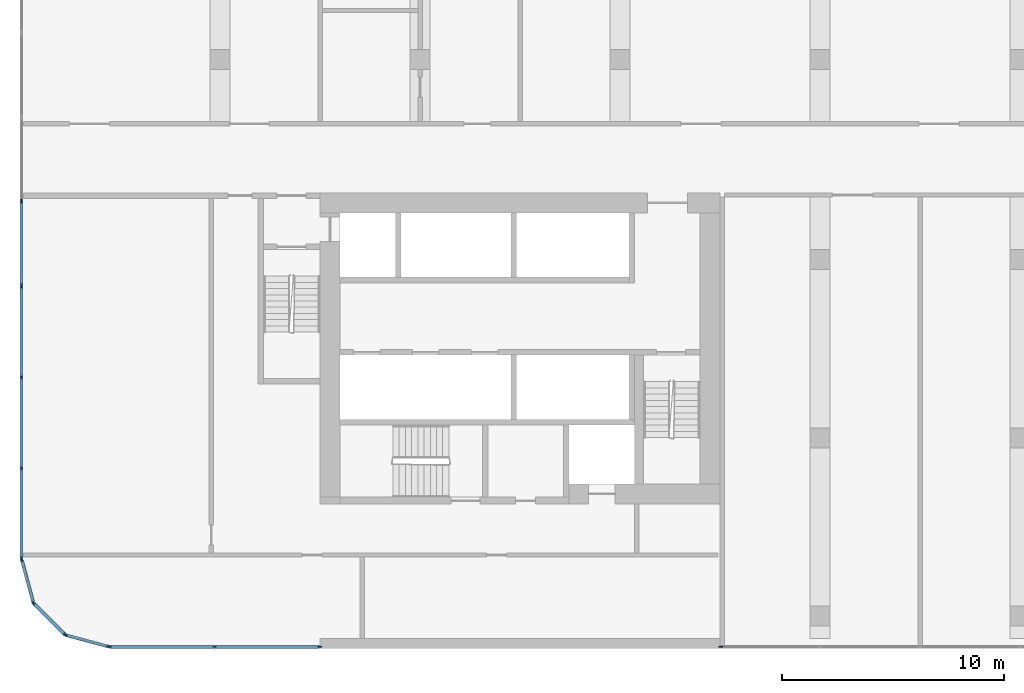
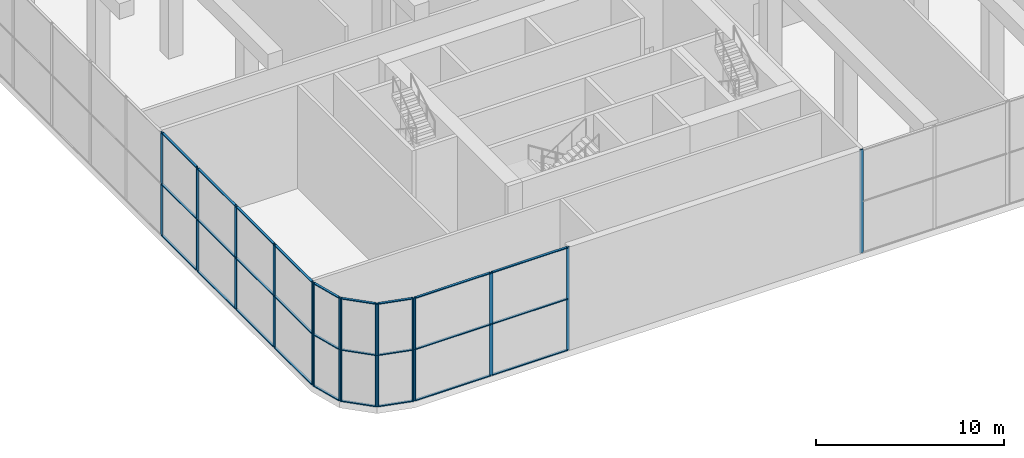
# One storey, part 2 of 23: 43 members, 7 elements without a shape of their own.
"""IFC4 building model written with IfcOpenShell, lengths in metres."""

import ifcopenshell
import ifcopenshell.guid

model = None  # the IFC model being written
_history = None  # IfcOwnerHistory: only IFC2X3 demands one
_inside = {}  # id of a spatial element -> (the spatial element, [elements in it])
_under = {}  # id of a project, library or spatial element -> (it, [spatial elements below it])
_declared = {}  # id of a project -> (the project, [libraries it declares])
_typed = {}  # id of a type object -> (the type object, [elements of that type])
_made_of = {}  # id of a material, layer set ... -> (it, [elements and type objects made of it])


def new_model(schema):
    """Start an empty IFC model of exactly this schema.

    Asked for "IFC4X3", IfcOpenShell would pick the latest addendum, in which some entities
    have other attributes; the version numbers below select the first issue.
    IFC2X3 requires an IfcOwnerHistory on every rooted entity: one is made here for all.
    """
    global model, _history
    if schema == "IFC4X3":
        model = ifcopenshell.file(schema_version=(4, 3, 0, 0))
    else:
        model = ifcopenshell.file(schema=schema)
    _inside.clear()
    _under.clear()
    _declared.clear()
    _typed.clear()
    _made_of.clear()
    _history = None
    if model.schema == "IFC2X3":
        org = make("IfcOrganization", Name="unknown")
        user = make(
            "IfcPersonAndOrganization",
            ThePerson=make("IfcPerson", FamilyName="unknown"),
            TheOrganization=org,
        )
        app = make(
            "IfcApplication",
            ApplicationDeveloper=org,
            Version="unknown",
            ApplicationFullName="unknown",
            ApplicationIdentifier="unknown",
        )
        _history = make(
            "IfcOwnerHistory",
            OwningUser=user,
            OwningApplication=app,
            ChangeAction="ADDED",
            CreationDate=0,
        )
    return model


def make(cls, **values):
    """One entity of the class cls with the attributes given. An attribute that is None is left unset."""
    return model.create_entity(
        cls, **{name: value for name, value in values.items() if value is not None}
    )


def rooted(cls, **values):
    """An entity with a GlobalId (a new one), such as an element, a storey or a relation."""
    return make(cls, GlobalId=ifcopenshell.guid.new(), OwnerHistory=_history, **values)


def si_unit(unit_type, name, prefix=None):
    """IfcSIUnit, for example si_unit("LENGTHUNIT", "METRE", prefix="MILLI")."""
    return make("IfcSIUnit", UnitType=unit_type, Prefix=prefix, Name=name)


def assignment(units):
    """IfcUnitAssignment: the units of a project."""
    return None if units is None else make("IfcUnitAssignment", Units=units)


def point(xyz):
    """IfcCartesianPoint."""
    return None if xyz is None else make("IfcCartesianPoint", Coordinates=xyz)


def direction(xyz):
    """IfcDirection."""
    return None if xyz is None else make("IfcDirection", DirectionRatios=xyz)


def frame(location, z_axis=None, x_axis=None):
    """IfcAxis2Placement3D, a coordinate frame: its origin and axes. An axis left out is left unset."""
    return make(
        "IfcAxis2Placement3D",
        Location=point(location),
        Axis=direction(z_axis),
        RefDirection=direction(x_axis),
    )


def frame_2d(location, x_axis=None):
    """IfcAxis2Placement2D, a coordinate frame in the plane: its origin and x axis."""
    return make(
        "IfcAxis2Placement2D", Location=point(location), RefDirection=direction(x_axis)
    )


def origin():
    """The frame at (0, 0, 0) with its axes left unset."""
    return frame((0.0, 0.0, 0.0))


def origin_2d():
    """The frame at (0, 0) in the plane with its x axis left unset."""
    return frame_2d((0.0, 0.0))


def place(relative_to, where):
    """IfcLocalPlacement: puts the frame where relative to a parent placement (None: the world)."""
    return make(
        "IfcLocalPlacement", PlacementRelTo=relative_to, RelativePlacement=where
    )


def context(
    kind, dimensions, precision=None, world=None, true_north=None, identifier=None
):
    """IfcGeometricRepresentationContext, for example the 3D "Model" context."""
    return make(
        "IfcGeometricRepresentationContext",
        ContextIdentifier=identifier,
        ContextType=kind,
        CoordinateSpaceDimension=dimensions,
        Precision=precision,
        WorldCoordinateSystem=world,
        TrueNorth=true_north,
    )


def subcontext(parent, identifier, kind, view, scale=None):
    """IfcGeometricRepresentationSubContext, for example "Body" below "Model"."""
    return make(
        "IfcGeometricRepresentationSubContext",
        ContextIdentifier=identifier,
        ContextType=kind,
        ParentContext=parent,
        TargetScale=scale,
        TargetView=view,
    )


def project(units=None, contexts=None):
    """IfcProject with its units and contexts."""
    return rooted(
        "IfcProject",
        Name="project",
        RepresentationContexts=contexts,
        UnitsInContext=assignment(units),
    )


def spatial(cls, under=None, at=None, **own):
    """A site, building, storey or space (cls), placed at a placement, below another one or the project."""
    s = rooted(cls, ObjectPlacement=at, **own)
    if under is not None:
        _under.setdefault(under.id(), (under, []))[1].append(s)
    return s


def profile(cls, at=None, kind="AREA", **sizes):
    """A parametric profile (cls). Its sizes go by their IFC names, for example OverallWidth=200.0."""
    return make(cls, ProfileType=kind, Position=at, **sizes)


def rectangle(**sizes):
    """IfcRectangleProfileDef."""
    return profile("IfcRectangleProfileDef", **sizes)


def extrude(swept, where, along, depth):
    """IfcExtrudedAreaSolid: the profile swept, set in the frame where, extruded along a direction by depth."""
    return make(
        "IfcExtrudedAreaSolid",
        SweptArea=swept,
        Position=where,
        ExtrudedDirection=direction(along),
        Depth=depth,
    )


def shape(context_of_items, identifier, shape_type, items):
    """IfcShapeRepresentation: the items that make up one representation, for example the "Body"."""
    return make(
        "IfcShapeRepresentation",
        ContextOfItems=context_of_items,
        RepresentationIdentifier=identifier,
        RepresentationType=shape_type,
        Items=items,
    )


def material(Name=None, Category=None):
    """IfcMaterial."""
    return make("IfcMaterial", Name=Name, Category=Category)


def material_profile(
    of_material, cross_section, Name=None, Category=None, Priority=None
):
    """IfcMaterialProfile: a cross section and its material."""
    return make(
        "IfcMaterialProfile",
        Name=Name,
        Material=of_material,
        Profile=cross_section,
        Priority=Priority,
        Category=Category,
    )


def profile_set(profiles, Name=None, composite=None):
    """IfcMaterialProfileSet."""
    return make(
        "IfcMaterialProfileSet",
        Name=Name,
        MaterialProfiles=profiles,
        CompositeProfile=composite,
    )


def made_of(thing, what):
    """Note that an element or type object is made of a material, layer set ...; save() writes the relation."""
    if what is not None:
        _made_of.setdefault(what.id(), (what, []))[1].append(thing)
    return thing


def type_object(cls, material=None, **own):
    """A type object (cls), such as IfcWallType, which elements share."""
    return made_of(rooted(cls, **own), material)


def element(
    cls,
    number,
    at=None,
    inside=None,
    cuts=None,
    type_object=None,
    material=None,
    context=None,
    identifier="Body",
    shape_type=None,
    held_by="IfcProductDefinitionShape",
    body=None,
    shapes=None,
    **own,
):
    """One element of the class cls, such as IfcWall. Its Tag is "e" and its number.

    at: its placement. inside: the storey or other place that contains it. cuts: it is an
    opening in that element (IfcRelVoidsElement). A single representation is given by context,
    identifier, shape_type and body (its items); several are given by shapes. held_by: the class
    of the entity that holds the representations. save() writes the other relations.
    """
    e = rooted(cls, Tag="e%d" % number, ObjectPlacement=at, **own)
    if body is not None:
        shapes = [shape(context, identifier, shape_type, body)]
    if shapes is not None:
        e.Representation = make(held_by, Representations=shapes)
    if inside is not None:
        _inside.setdefault(inside.id(), (inside, []))[1].append(e)
    if cuts is not None:
        rooted(
            "IfcRelVoidsElement", RelatingBuildingElement=cuts, RelatedOpeningElement=e
        )
    if type_object is not None:
        _typed.setdefault(type_object.id(), (type_object, []))[1].append(e)
    return made_of(e, material)


def aggregate(whole, parts):
    """IfcRelAggregates: a whole, such as a stair, and the parts it consists of."""
    return rooted("IfcRelAggregates", RelatingObject=whole, RelatedObjects=parts)


def save(model, path):
    """Write the relations noted so far, then the file.

    IfcRelAggregates (storeys below a building ...), IfcRelContainedInSpatialStructure (elements
    in a storey), IfcRelDefinesByType, IfcRelAssociatesMaterial and IfcRelDeclares: one each for
    every whole, place, type object, material and project.
    """
    for whole, parts in _under.values():
        aggregate(whole, parts)
    for where, things in _inside.values():
        rooted(
            "IfcRelContainedInSpatialStructure",
            RelatedElements=things,
            RelatingStructure=where,
        )
    for kind, things in _typed.values():
        rooted("IfcRelDefinesByType", RelatedObjects=things, RelatingType=kind)
    for what, things in _made_of.values():
        rooted("IfcRelAssociatesMaterial", RelatedObjects=things, RelatingMaterial=what)
    for by, libraries in _declared.values():
        rooted("IfcRelDeclares", RelatingContext=by, RelatedDefinitions=libraries)
    model.write(path)


model = new_model("IFC4")

# Units and contexts
model_context = context("Model", 3, precision=1e-05, world=origin(), true_north=direction((0.0, 1.0)))
body_context = subcontext(model_context, "Body", "Model", "MODEL_VIEW")
ifc_project = project(units=[si_unit("LENGTHUNIT", "METRE"), si_unit("AREAUNIT", "SQUARE_METRE"), si_unit("VOLUMEUNIT", "CUBIC_METRE"), si_unit("PLANEANGLEUNIT", "RADIAN"), si_unit("MASSUNIT", "GRAM", prefix="KILO")], contexts=[model_context])

# Site, building, storey
site_placement = place(None, origin())
site = spatial("IfcSite", under=ifc_project, at=site_placement, CompositionType="ELEMENT")
building_placement = place(site_placement, origin())
building = spatial("IfcBuilding", under=site, at=building_placement, Name="Kajstack Hotel Tower", CompositionType="ELEMENT")
storey_placement = place(building_placement, frame((0.0, 0.0, 53.0)))
storey = spatial("IfcBuildingStorey", under=building, at=storey_placement, Name="L08", CompositionType="ELEMENT", Elevation=53.0)

# Curtain wall, members
ifc_material_1 = material(Name="Aluminium-framed curtain wall, low-iron insulated glass", Category="aluminium")
curtain_wall_type = type_object("IfcCurtainWallType", Name="CW-GARDEN", PredefinedType="NOTDEFINED", material=ifc_material_1)
curtain_wall_1_placement = place(storey_placement, origin())
curtain_wall_1 = element("IfcCurtainWall", 1, at=curtain_wall_1_placement, inside=storey, type_object=curtain_wall_type, Name="Curtain wall CU6 L08-00-00-0", PredefinedType="NOTDEFINED")
ifc_material_2 = material(Name="Aluminium", Category="aluminium")
ifc_material_profile_1 = material_profile(ifc_material_2, rectangle(XDim=0.06005859375, YDim=0.199951171875, at=origin_2d()), Name="Aluminium mullion 60 x 200")
ifc_profile_set_1 = profile_set([ifc_material_profile_1], Name="Aluminium")
member_type_1 = type_object("IfcMemberType", Name="CW-M-GARDEN", PredefinedType="MULLION", material=ifc_profile_set_1)
member_1_placement = place(storey_placement, frame((-44.919677734375, -18.009521484375, 0.0), z_axis=(0.0, 0.0, 1.0), x_axis=(0.965925631275, 0.258819772904, 0.0)))
member_1 = element("IfcMember", 2, at=member_1_placement, type_object=member_type_1, Name="CU6 mullion 1", PredefinedType="MULLION", context=body_context, shape_type="SweptSolid", body=[
    extrude(rectangle(XDim=0.06005859375, YDim=0.199951171875, at=origin_2d()), origin(), (0.0, 0.0, 1.0), 6.719970703125),
])
member_2_placement = place(storey_placement, frame((-44.3994140625, -19.95166015625, 0.0), z_axis=(0.0, 0.0, 1.0), x_axis=(0.965925631275, 0.258819772904, 0.0)))
member_2 = element("IfcMember", 3, at=member_2_placement, type_object=member_type_1, Name="CU6 mullion 2", PredefinedType="MULLION", context=body_context, shape_type="SweptSolid", body=[
    extrude(rectangle(XDim=0.06005859375, YDim=0.199951171875, at=origin_2d()), origin(), (0.0, 0.0, 1.0), 6.719970703125),
])

curtain_wall_2_placement = place(storey_placement, origin())
curtain_wall_2 = element("IfcCurtainWall", 4, at=curtain_wall_2_placement, inside=storey, type_object=curtain_wall_type, Name="Curtain wall CU6 L08-01-00-0", PredefinedType="NOTDEFINED")
member_3_placement = place(storey_placement, frame((-44.389892578125, -19.96826171875, 0.0), z_axis=(0.0, 0.0, 1.0), x_axis=(0.707106781187, 0.707106781187, 0.0)))
member_3 = element("IfcMember", 5, at=member_3_placement, type_object=member_type_1, Name="CU6 mullion 1", PredefinedType="MULLION", context=body_context, shape_type="SweptSolid", body=[
    extrude(rectangle(XDim=0.06005859375, YDim=0.199951171875, at=origin_2d()), origin(), (0.0, 0.0, 1.0), 6.719970703125),
])
member_4_placement = place(storey_placement, frame((-42.96826171875, -21.389892578125, 0.0), z_axis=(0.0, 0.0, 1.0), x_axis=(0.707106781187, 0.707106781187, 0.0)))
member_4 = element("IfcMember", 6, at=member_4_placement, type_object=member_type_1, Name="CU6 mullion 2", PredefinedType="MULLION", context=body_context, shape_type="SweptSolid", body=[
    extrude(rectangle(XDim=0.06005859375, YDim=0.199951171875, at=origin_2d()), origin(), (0.0, 0.0, 1.0), 6.719970703125),
])

curtain_wall_3_placement = place(storey_placement, origin())
curtain_wall_3 = element("IfcCurtainWall", 7, at=curtain_wall_3_placement, inside=storey, type_object=curtain_wall_type, Name="Curtain wall CU6 L08-02-00-0", PredefinedType="NOTDEFINED")
member_5_placement = place(storey_placement, frame((-42.95166015625, -21.3994140625, 0.0), z_axis=(0.0, 0.0, 1.0), x_axis=(0.258819772904, 0.965925631275, 0.0)))
member_5 = element("IfcMember", 8, at=member_5_placement, type_object=member_type_1, Name="CU6 mullion 1", PredefinedType="MULLION", context=body_context, shape_type="SweptSolid", body=[
    extrude(rectangle(XDim=0.06005859375, YDim=0.199951171875, at=origin_2d()), origin(), (0.0, 0.0, 1.0), 6.719970703125),
])
member_6_placement = place(storey_placement, frame((-41.009521484375, -21.919677734375, 0.0), z_axis=(0.0, 0.0, 1.0), x_axis=(0.258819772904, 0.965925631275, 0.0)))
member_6 = element("IfcMember", 9, at=member_6_placement, type_object=member_type_1, Name="CU6 mullion 2", PredefinedType="MULLION", context=body_context, shape_type="SweptSolid", body=[
    extrude(rectangle(XDim=0.06005859375, YDim=0.199951171875, at=origin_2d()), origin(), (0.0, 0.0, 1.0), 6.719970703125),
])

curtain_wall_4_placement = place(storey_placement, origin())
curtain_wall_4 = element("IfcCurtainWall", 10, at=curtain_wall_4_placement, inside=storey, type_object=curtain_wall_type, Name="Curtain wall CU6 L08-03-00-0", PredefinedType="NOTDEFINED")
member_7_placement = place(storey_placement, frame((-40.969970703125, -21.925048828125, 0.0), z_axis=(0.0, 0.0, 1.0), x_axis=(0.0, 1.0, 0.0)))
member_7 = element("IfcMember", 11, at=member_7_placement, type_object=member_type_1, Name="CU6 mullion 1", PredefinedType="MULLION", context=body_context, shape_type="SweptSolid", body=[
    extrude(rectangle(XDim=0.06005859375, YDim=0.199951171875, at=origin_2d()), origin(), (0.0, 0.0, 1.0), 6.719970703125),
])
member_8_placement = place(storey_placement, frame((-36.25, -21.925048828125, 0.0), z_axis=(0.0, 0.0, 1.0), x_axis=(0.0, 1.0, 0.0)))
member_8 = element("IfcMember", 12, at=member_8_placement, type_object=member_type_1, Name="CU6 mullion 2", PredefinedType="MULLION", context=body_context, shape_type="SweptSolid", body=[
    extrude(rectangle(XDim=0.06005859375, YDim=0.199951171875, at=origin_2d()), origin(), (0.0, 0.0, 1.0), 6.719970703125),
])
member_9_placement = place(storey_placement, frame((-31.530029296875, -21.925048828125, 0.0), z_axis=(0.0, 0.0, 1.0), x_axis=(0.0, 1.0, 0.0)))
member_9 = element("IfcMember", 13, at=member_9_placement, type_object=member_type_1, Name="CU6 mullion 3", PredefinedType="MULLION", context=body_context, shape_type="SweptSolid", body=[
    extrude(rectangle(XDim=0.06005859375, YDim=0.199951171875, at=origin_2d()), origin(), (0.0, 0.0, 1.0), 6.719970703125),
])

# Curtain wall, member
curtain_wall_5_placement = place(storey_placement, origin())
curtain_wall_5 = element("IfcCurtainWall", 14, at=curtain_wall_5_placement, inside=storey, type_object=curtain_wall_type, Name="Curtain wall CU6 L08-03-02-0", PredefinedType="NOTDEFINED")
member_10_placement = place(storey_placement, frame((-13.469970703125, -21.925048828125, 0.0), z_axis=(0.0, 0.0, 1.0), x_axis=(0.0, 1.0, 0.0)))
member_10 = element("IfcMember", 15, at=member_10_placement, type_object=member_type_1, Name="CU6 mullion 1", PredefinedType="MULLION", context=body_context, shape_type="SweptSolid", body=[
    extrude(rectangle(XDim=0.06005859375, YDim=0.199951171875, at=origin_2d()), origin(), (0.0, 0.0, 1.0), 6.719970703125),
])
aggregate(curtain_wall_5, [member_10])

# Curtain wall, members
curtain_wall_6_placement = place(storey_placement, origin())
curtain_wall_6 = element("IfcCurtainWall", 16, at=curtain_wall_6_placement, inside=storey, type_object=curtain_wall_type, Name="Curtain wall CU6 L08-15-00-1", PredefinedType="NOTDEFINED")
member_11_placement = place(storey_placement, frame((-44.925048828125, -1.89990234375, 0.0), z_axis=(0.0, 0.0, 1.0), x_axis=(1.0, 0.0, 0.0)))
member_11 = element("IfcMember", 17, at=member_11_placement, type_object=member_type_1, Name="CU6 mullion 3", PredefinedType="MULLION", context=body_context, shape_type="SweptSolid", body=[
    extrude(rectangle(XDim=0.06005859375, YDim=0.199951171875, at=origin_2d()), origin(), (0.0, 0.0, 1.0), 6.719970703125),
])
member_12_placement = place(storey_placement, frame((-44.925048828125, -5.669921875, 0.0), z_axis=(0.0, 0.0, 1.0), x_axis=(1.0, 0.0, 0.0)))
member_12 = element("IfcMember", 18, at=member_12_placement, type_object=member_type_1, Name="CU6 mullion 4", PredefinedType="MULLION", context=body_context, shape_type="SweptSolid", body=[
    extrude(rectangle(XDim=0.06005859375, YDim=0.199951171875, at=origin_2d()), origin(), (0.0, 0.0, 1.0), 6.719970703125),
])

curtain_wall_7_placement = place(storey_placement, origin())
curtain_wall_7 = element("IfcCurtainWall", 19, at=curtain_wall_7_placement, inside=storey, type_object=curtain_wall_type, Name="Curtain wall CU6 L08-15-00-2", PredefinedType="NOTDEFINED")
member_13_placement = place(storey_placement, frame((-44.925048828125, -5.72998046875, 0.0), z_axis=(0.0, 0.0, 1.0), x_axis=(1.0, 0.0, 0.0)))
member_13 = element("IfcMember", 20, at=member_13_placement, type_object=member_type_1, Name="CU6 mullion 1", PredefinedType="MULLION", context=body_context, shape_type="SweptSolid", body=[
    extrude(rectangle(XDim=0.06005859375, YDim=0.199951171875, at=origin_2d()), origin(), (0.0, 0.0, 1.0), 6.719970703125),
])
member_14_placement = place(storey_placement, frame((-44.925048828125, -9.800048828125, 0.0), z_axis=(0.0, 0.0, 1.0), x_axis=(1.0, 0.0, 0.0)))
member_14 = element("IfcMember", 21, at=member_14_placement, type_object=member_type_1, Name="CU6 mullion 2", PredefinedType="MULLION", context=body_context, shape_type="SweptSolid", body=[
    extrude(rectangle(XDim=0.06005859375, YDim=0.199951171875, at=origin_2d()), origin(), (0.0, 0.0, 1.0), 6.719970703125),
])
member_15_placement = place(storey_placement, frame((-44.925048828125, -13.89990234375, 0.0), z_axis=(0.0, 0.0, 1.0), x_axis=(1.0, 0.0, 0.0)))
member_15 = element("IfcMember", 22, at=member_15_placement, type_object=member_type_1, Name="CU6 mullion 3", PredefinedType="MULLION", context=body_context, shape_type="SweptSolid", body=[
    extrude(rectangle(XDim=0.06005859375, YDim=0.199951171875, at=origin_2d()), origin(), (0.0, 0.0, 1.0), 6.719970703125),
])
member_16_placement = place(storey_placement, frame((-44.925048828125, -17.969970703125, 0.0), z_axis=(0.0, 0.0, 1.0), x_axis=(1.0, 0.0, 0.0)))
member_16 = element("IfcMember", 23, at=member_16_placement, type_object=member_type_1, Name="CU6 mullion 4", PredefinedType="MULLION", context=body_context, shape_type="SweptSolid", body=[
    extrude(rectangle(XDim=0.06005859375, YDim=0.199951171875, at=origin_2d()), origin(), (0.0, 0.0, 1.0), 6.719970703125),
])

# Member
ifc_material_profile_2 = material_profile(ifc_material_2, rectangle(XDim=0.139892578125, YDim=0.06005859375, at=origin_2d()), Name="Aluminium transom 140 x 60")
ifc_profile_set_2 = profile_set([ifc_material_profile_2], Name="Aluminium")
member_type_2 = type_object("IfcMemberType", Name="CW-T-GARDEN", PredefinedType="USERDEFINED", material=ifc_profile_set_2)
member_17_placement = place(storey_placement, frame((-44.912109375, -18.03857421875, 0.030029296875), z_axis=(0.258846615355, -0.96591843844, 0.0), x_axis=(0.96591843844, 0.258846615355, 0.0)))
member_17 = element("IfcMember", 24, at=member_17_placement, type_object=member_type_2, Name="CU6 transom 1.1", ObjectType="TRANSOM", PredefinedType="USERDEFINED", context=body_context, shape_type="SweptSolid", body=[
    extrude(rectangle(XDim=0.139892578125, YDim=0.06005859375, at=origin_2d()), origin(), (0.0, 0.0, 1.0), 1.950439453125),
])

member_18_placement = place(storey_placement, frame((-44.912109375, -18.03857421875, 3.360107421875), z_axis=(0.258846615355, -0.96591843844, 0.0), x_axis=(0.96591843844, 0.258846615355, 0.0)))
member_18 = element("IfcMember", 25, at=member_18_placement, type_object=member_type_2, Name="CU6 transom 1.2", ObjectType="TRANSOM", PredefinedType="USERDEFINED", context=body_context, shape_type="SweptSolid", body=[
    extrude(rectangle(XDim=0.139892578125, YDim=0.06005859375, at=origin_2d()), origin(), (0.0, 0.0, 1.0), 1.950439453125),
])

member_19_placement = place(storey_placement, frame((-44.912109375, -18.03857421875, 6.68994140625), z_axis=(0.258846615355, -0.96591843844, 0.0), x_axis=(0.96591843844, 0.258846615355, 0.0)))
member_19 = element("IfcMember", 26, at=member_19_placement, type_object=member_type_2, Name="CU6 transom 1.3", ObjectType="TRANSOM", PredefinedType="USERDEFINED", context=body_context, shape_type="SweptSolid", body=[
    extrude(rectangle(XDim=0.139892578125, YDim=0.06005859375, at=origin_2d()), origin(), (0.0, 0.0, 1.0), 1.950439453125),
])

aggregate(curtain_wall_1, [member_1, member_2, member_17, member_18, member_19])

member_20_placement = place(storey_placement, frame((-44.36865234375, -19.989501953125, 0.030029296875), z_axis=(0.707106781187, -0.707106781187, 0.0), x_axis=(0.707106781187, 0.707106781187, 0.0)))
member_20 = element("IfcMember", 27, at=member_20_placement, type_object=member_type_2, Name="CU6 transom 1.1", ObjectType="TRANSOM", PredefinedType="USERDEFINED", context=body_context, shape_type="SweptSolid", body=[
    extrude(rectangle(XDim=0.139892578125, YDim=0.06005859375, at=origin_2d()), origin(), (0.0, 0.0, 1.0), 1.950439453125),
])

member_21_placement = place(storey_placement, frame((-44.36865234375, -19.989501953125, 3.360107421875), z_axis=(0.707106781187, -0.707106781187, 0.0), x_axis=(0.707106781187, 0.707106781187, 0.0)))
member_21 = element("IfcMember", 28, at=member_21_placement, type_object=member_type_2, Name="CU6 transom 1.2", ObjectType="TRANSOM", PredefinedType="USERDEFINED", context=body_context, shape_type="SweptSolid", body=[
    extrude(rectangle(XDim=0.139892578125, YDim=0.06005859375, at=origin_2d()), origin(), (0.0, 0.0, 1.0), 1.950439453125),
])

member_22_placement = place(storey_placement, frame((-44.36865234375, -19.989501953125, 6.68994140625), z_axis=(0.707106781187, -0.707106781187, 0.0), x_axis=(0.707106781187, 0.707106781187, 0.0)))
member_22 = element("IfcMember", 29, at=member_22_placement, type_object=member_type_2, Name="CU6 transom 1.3", ObjectType="TRANSOM", PredefinedType="USERDEFINED", context=body_context, shape_type="SweptSolid", body=[
    extrude(rectangle(XDim=0.139892578125, YDim=0.06005859375, at=origin_2d()), origin(), (0.0, 0.0, 1.0), 1.950439453125),
])

aggregate(curtain_wall_2, [member_3, member_4, member_20, member_21, member_22])

member_23_placement = place(storey_placement, frame((-42.922607421875, -21.4072265625, 0.030029296875), z_axis=(0.96591843844, -0.258846615355, 0.0), x_axis=(0.258846615355, 0.96591843844, 0.0)))
member_23 = element("IfcMember", 30, at=member_23_placement, type_object=member_type_2, Name="CU6 transom 1.1", ObjectType="TRANSOM", PredefinedType="USERDEFINED", context=body_context, shape_type="SweptSolid", body=[
    extrude(rectangle(XDim=0.139892578125, YDim=0.06005859375, at=origin_2d()), origin(), (0.0, 0.0, 1.0), 1.950439453125),
])

member_24_placement = place(storey_placement, frame((-42.922607421875, -21.4072265625, 3.360107421875), z_axis=(0.96591843844, -0.258846615355, 0.0), x_axis=(0.258846615355, 0.96591843844, 0.0)))
member_24 = element("IfcMember", 31, at=member_24_placement, type_object=member_type_2, Name="CU6 transom 1.2", ObjectType="TRANSOM", PredefinedType="USERDEFINED", context=body_context, shape_type="SweptSolid", body=[
    extrude(rectangle(XDim=0.139892578125, YDim=0.06005859375, at=origin_2d()), origin(), (0.0, 0.0, 1.0), 1.950439453125),
])

member_25_placement = place(storey_placement, frame((-42.922607421875, -21.4072265625, 6.68994140625), z_axis=(0.96591843844, -0.258846615355, 0.0), x_axis=(0.258846615355, 0.96591843844, 0.0)))
member_25 = element("IfcMember", 32, at=member_25_placement, type_object=member_type_2, Name="CU6 transom 1.3", ObjectType="TRANSOM", PredefinedType="USERDEFINED", context=body_context, shape_type="SweptSolid", body=[
    extrude(rectangle(XDim=0.139892578125, YDim=0.06005859375, at=origin_2d()), origin(), (0.0, 0.0, 1.0), 1.950439453125),
])

aggregate(curtain_wall_3, [member_5, member_6, member_23, member_24, member_25])

member_26_placement = place(storey_placement, frame((-40.93994140625, -21.925048828125, 0.030029296875), z_axis=(1.0, 0.0, 0.0), x_axis=(0.0, 1.0, 0.0)))
member_26 = element("IfcMember", 33, at=member_26_placement, type_object=member_type_2, Name="CU6 transom 1.1", ObjectType="TRANSOM", PredefinedType="USERDEFINED", context=body_context, shape_type="SweptSolid", body=[
    extrude(rectangle(XDim=0.139892578125, YDim=0.06005859375, at=origin_2d()), origin(), (0.0, 0.0, 1.0), 4.659912109375),
])

member_27_placement = place(storey_placement, frame((-40.93994140625, -21.925048828125, 3.360107421875), z_axis=(1.0, 0.0, 0.0), x_axis=(0.0, 1.0, 0.0)))
member_27 = element("IfcMember", 34, at=member_27_placement, type_object=member_type_2, Name="CU6 transom 1.2", ObjectType="TRANSOM", PredefinedType="USERDEFINED", context=body_context, shape_type="SweptSolid", body=[
    extrude(rectangle(XDim=0.139892578125, YDim=0.06005859375, at=origin_2d()), origin(), (0.0, 0.0, 1.0), 4.659912109375),
])

member_28_placement = place(storey_placement, frame((-40.93994140625, -21.925048828125, 6.68994140625), z_axis=(1.0, 0.0, 0.0), x_axis=(0.0, 1.0, 0.0)))
member_28 = element("IfcMember", 35, at=member_28_placement, type_object=member_type_2, Name="CU6 transom 1.3", ObjectType="TRANSOM", PredefinedType="USERDEFINED", context=body_context, shape_type="SweptSolid", body=[
    extrude(rectangle(XDim=0.139892578125, YDim=0.06005859375, at=origin_2d()), origin(), (0.0, 0.0, 1.0), 4.659912109375),
])

member_29_placement = place(storey_placement, frame((-36.219970703125, -21.925048828125, 0.030029296875), z_axis=(1.0, 0.0, 0.0), x_axis=(0.0, 1.0, 0.0)))
member_29 = element("IfcMember", 36, at=member_29_placement, type_object=member_type_2, Name="CU6 transom 2.1", ObjectType="TRANSOM", PredefinedType="USERDEFINED", context=body_context, shape_type="SweptSolid", body=[
    extrude(rectangle(XDim=0.139892578125, YDim=0.06005859375, at=origin_2d()), origin(), (0.0, 0.0, 1.0), 4.659912109375),
])

member_30_placement = place(storey_placement, frame((-36.219970703125, -21.925048828125, 3.360107421875), z_axis=(1.0, 0.0, 0.0), x_axis=(0.0, 1.0, 0.0)))
member_30 = element("IfcMember", 37, at=member_30_placement, type_object=member_type_2, Name="CU6 transom 2.2", ObjectType="TRANSOM", PredefinedType="USERDEFINED", context=body_context, shape_type="SweptSolid", body=[
    extrude(rectangle(XDim=0.139892578125, YDim=0.06005859375, at=origin_2d()), origin(), (0.0, 0.0, 1.0), 4.659912109375),
])

member_31_placement = place(storey_placement, frame((-36.219970703125, -21.925048828125, 6.68994140625), z_axis=(1.0, 0.0, 0.0), x_axis=(0.0, 1.0, 0.0)))
member_31 = element("IfcMember", 38, at=member_31_placement, type_object=member_type_2, Name="CU6 transom 2.3", ObjectType="TRANSOM", PredefinedType="USERDEFINED", context=body_context, shape_type="SweptSolid", body=[
    extrude(rectangle(XDim=0.139892578125, YDim=0.06005859375, at=origin_2d()), origin(), (0.0, 0.0, 1.0), 4.659912109375),
])

aggregate(curtain_wall_4, [member_7, member_8, member_9, member_26, member_27, member_28, member_29, member_30, member_31])

member_32_placement = place(storey_placement, frame((-44.925048828125, -1.929931640625, 0.030029296875), z_axis=(0.0, -1.0, 0.0), x_axis=(1.0, 0.0, 0.0)))
member_32 = element("IfcMember", 39, at=member_32_placement, type_object=member_type_2, Name="CU6 transom 3.1", ObjectType="TRANSOM", PredefinedType="USERDEFINED", context=body_context, shape_type="SweptSolid", body=[
    extrude(rectangle(XDim=0.139892578125, YDim=0.06005859375, at=origin_2d()), origin(), (0.0, 0.0, 1.0), 3.7099609375),
])

member_33_placement = place(storey_placement, frame((-44.925048828125, -1.929931640625, 3.360107421875), z_axis=(0.0, -1.0, 0.0), x_axis=(1.0, 0.0, 0.0)))
member_33 = element("IfcMember", 40, at=member_33_placement, type_object=member_type_2, Name="CU6 transom 3.2", ObjectType="TRANSOM", PredefinedType="USERDEFINED", context=body_context, shape_type="SweptSolid", body=[
    extrude(rectangle(XDim=0.139892578125, YDim=0.06005859375, at=origin_2d()), origin(), (0.0, 0.0, 1.0), 3.7099609375),
])

member_34_placement = place(storey_placement, frame((-44.925048828125, -1.929931640625, 6.68994140625), z_axis=(0.0, -1.0, 0.0), x_axis=(1.0, 0.0, 0.0)))
member_34 = element("IfcMember", 41, at=member_34_placement, type_object=member_type_2, Name="CU6 transom 3.3", ObjectType="TRANSOM", PredefinedType="USERDEFINED", context=body_context, shape_type="SweptSolid", body=[
    extrude(rectangle(XDim=0.139892578125, YDim=0.06005859375, at=origin_2d()), origin(), (0.0, 0.0, 1.0), 3.7099609375),
])

aggregate(curtain_wall_6, [member_11, member_12, member_32, member_33, member_34])

member_35_placement = place(storey_placement, frame((-44.925048828125, -5.760009765625, 0.030029296875), z_axis=(0.0, -1.0, 0.0), x_axis=(1.0, 0.0, 0.0)))
member_35 = element("IfcMember", 42, at=member_35_placement, type_object=member_type_2, Name="CU6 transom 1.1", ObjectType="TRANSOM", PredefinedType="USERDEFINED", context=body_context, shape_type="SweptSolid", body=[
    extrude(rectangle(XDim=0.139892578125, YDim=0.06005859375, at=origin_2d()), origin(), (0.0, 0.0, 1.0), 4.010009765625),
])

member_36_placement = place(storey_placement, frame((-44.925048828125, -5.760009765625, 3.360107421875), z_axis=(0.0, -1.0, 0.0), x_axis=(1.0, 0.0, 0.0)))
member_36 = element("IfcMember", 43, at=member_36_placement, type_object=member_type_2, Name="CU6 transom 1.2", ObjectType="TRANSOM", PredefinedType="USERDEFINED", context=body_context, shape_type="SweptSolid", body=[
    extrude(rectangle(XDim=0.139892578125, YDim=0.06005859375, at=origin_2d()), origin(), (0.0, 0.0, 1.0), 4.010009765625),
])

member_37_placement = place(storey_placement, frame((-44.925048828125, -5.760009765625, 6.68994140625), z_axis=(0.0, -1.0, 0.0), x_axis=(1.0, 0.0, 0.0)))
member_37 = element("IfcMember", 44, at=member_37_placement, type_object=member_type_2, Name="CU6 transom 1.3", ObjectType="TRANSOM", PredefinedType="USERDEFINED", context=body_context, shape_type="SweptSolid", body=[
    extrude(rectangle(XDim=0.139892578125, YDim=0.06005859375, at=origin_2d()), origin(), (0.0, 0.0, 1.0), 4.010009765625),
])

member_38_placement = place(storey_placement, frame((-44.925048828125, -9.830078125, 0.030029296875), z_axis=(0.0, -1.0, 0.0), x_axis=(1.0, 0.0, 0.0)))
member_38 = element("IfcMember", 45, at=member_38_placement, type_object=member_type_2, Name="CU6 transom 2.1", ObjectType="TRANSOM", PredefinedType="USERDEFINED", context=body_context, shape_type="SweptSolid", body=[
    extrude(rectangle(XDim=0.139892578125, YDim=0.06005859375, at=origin_2d()), origin(), (0.0, 0.0, 1.0), 4.0400390625),
])

member_39_placement = place(storey_placement, frame((-44.925048828125, -9.830078125, 3.360107421875), z_axis=(0.0, -1.0, 0.0), x_axis=(1.0, 0.0, 0.0)))
member_39 = element("IfcMember", 46, at=member_39_placement, type_object=member_type_2, Name="CU6 transom 2.2", ObjectType="TRANSOM", PredefinedType="USERDEFINED", context=body_context, shape_type="SweptSolid", body=[
    extrude(rectangle(XDim=0.139892578125, YDim=0.06005859375, at=origin_2d()), origin(), (0.0, 0.0, 1.0), 4.0400390625),
])

member_40_placement = place(storey_placement, frame((-44.925048828125, -9.830078125, 6.68994140625), z_axis=(0.0, -1.0, 0.0), x_axis=(1.0, 0.0, 0.0)))
member_40 = element("IfcMember", 47, at=member_40_placement, type_object=member_type_2, Name="CU6 transom 2.3", ObjectType="TRANSOM", PredefinedType="USERDEFINED", context=body_context, shape_type="SweptSolid", body=[
    extrude(rectangle(XDim=0.139892578125, YDim=0.06005859375, at=origin_2d()), origin(), (0.0, 0.0, 1.0), 4.0400390625),
])

member_41_placement = place(storey_placement, frame((-44.925048828125, -13.929931640625, 0.030029296875), z_axis=(0.0, -1.0, 0.0), x_axis=(1.0, 0.0, 0.0)))
member_41 = element("IfcMember", 48, at=member_41_placement, type_object=member_type_2, Name="CU6 transom 3.1", ObjectType="TRANSOM", PredefinedType="USERDEFINED", context=body_context, shape_type="SweptSolid", body=[
    extrude(rectangle(XDim=0.139892578125, YDim=0.06005859375, at=origin_2d()), origin(), (0.0, 0.0, 1.0), 4.010009765625),
])

member_42_placement = place(storey_placement, frame((-44.925048828125, -13.929931640625, 3.360107421875), z_axis=(0.0, -1.0, 0.0), x_axis=(1.0, 0.0, 0.0)))
member_42 = element("IfcMember", 49, at=member_42_placement, type_object=member_type_2, Name="CU6 transom 3.2", ObjectType="TRANSOM", PredefinedType="USERDEFINED", context=body_context, shape_type="SweptSolid", body=[
    extrude(rectangle(XDim=0.139892578125, YDim=0.06005859375, at=origin_2d()), origin(), (0.0, 0.0, 1.0), 4.010009765625),
])

member_43_placement = place(storey_placement, frame((-44.925048828125, -13.929931640625, 6.68994140625), z_axis=(0.0, -1.0, 0.0), x_axis=(1.0, 0.0, 0.0)))
member_43 = element("IfcMember", 50, at=member_43_placement, type_object=member_type_2, Name="CU6 transom 3.3", ObjectType="TRANSOM", PredefinedType="USERDEFINED", context=body_context, shape_type="SweptSolid", body=[
    extrude(rectangle(XDim=0.139892578125, YDim=0.06005859375, at=origin_2d()), origin(), (0.0, 0.0, 1.0), 4.010009765625),
])

aggregate(curtain_wall_7, [member_13, member_14, member_15, member_16, member_35, member_36, member_37, member_38, member_39, member_40, member_41, member_42, member_43])

save(model, "model.ifc")
